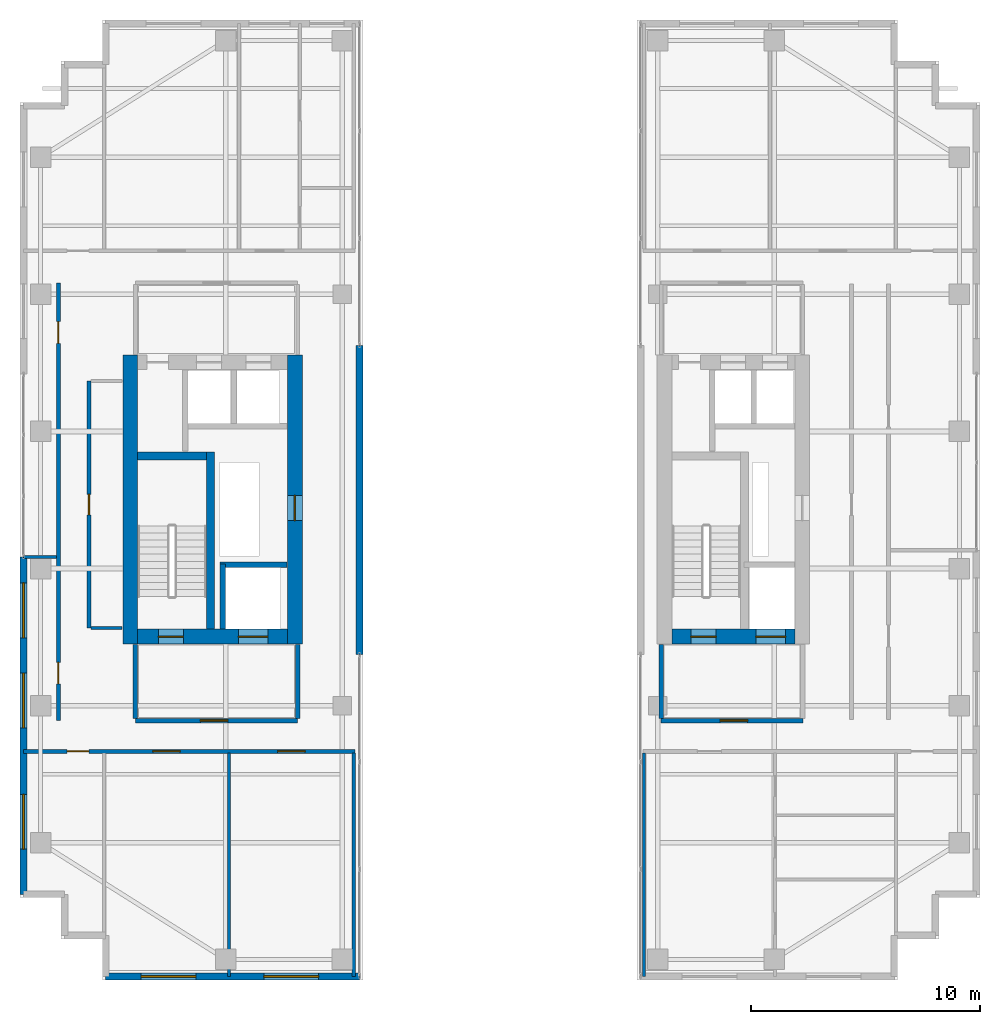
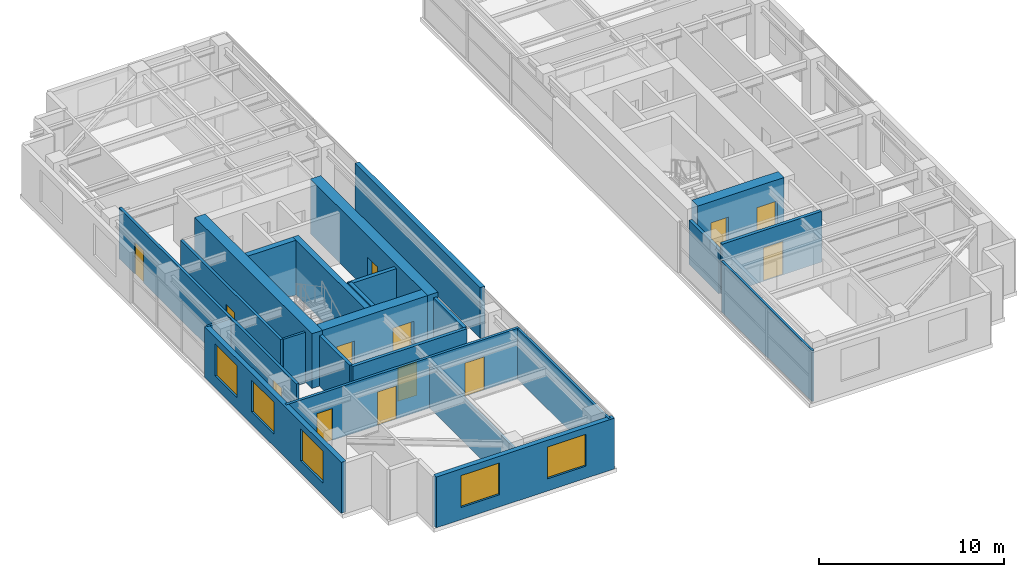
# One storey, part 17 of 22: 24 walls, 13 doors, 5 windows, 18 openings.
"""IFC4 building model written with IfcOpenShell, lengths in metres."""

from ifc_helpers import new_model, si_unit, direction, frame, frame_2d, origin, place, context, subcontext, project, spatial, rectangle, extrude, source, transform, mapped, material, layer, layer_set, type_object, element, fill, save


model = new_model("IFC4")

# Units and contexts
model_context = context("Model", 3, precision=1e-05, world=origin(), true_north=direction((0.0, 1.0)))
body_context = subcontext(model_context, "Body", "Model", "MODEL_VIEW")
ifc_project = project(units=[si_unit("LENGTHUNIT", "METRE"), si_unit("AREAUNIT", "SQUARE_METRE"), si_unit("VOLUMEUNIT", "CUBIC_METRE"), si_unit("PLANEANGLEUNIT", "RADIAN"), si_unit("MASSUNIT", "GRAM", prefix="KILO")], contexts=[model_context])

# Site, building, storey
site_placement = place(None, origin())
site = spatial("IfcSite", under=ifc_project, at=site_placement, CompositionType="ELEMENT")
building_placement = place(site_placement, origin())
building = spatial("IfcBuilding", under=site, at=building_placement, Name="Khoralis Quay Care Tower", CompositionType="ELEMENT")
storey_placement = place(building_placement, frame((0.0, 0.0, 184.5)))
storey = spatial("IfcBuildingStorey", under=building, at=storey_placement, Name="L48", CompositionType="ELEMENT", Elevation=184.5)

# Wall, opening, door
ifc_material_1 = material(Name="Gypsum plasterboard on acoustic metal stud")
ifc_layer_1 = layer(ifc_material_1, 0.199951171875)
ifc_layer_set_1 = layer_set([ifc_layer_1], Name="Gypsum plasterboard on acoustic metal stud")
wall_type_1 = type_object("IfcWallType", Name="WL-COMP-200", PredefinedType="PARTITIONING", material=ifc_layer_set_1)
wall_1_placement = place(storey_placement, frame((8.050048828125, 11.35009765625, 0.0), z_axis=(0.0, 0.0, 1.0), x_axis=(1.0, 0.0, 0.0)))
wall_1 = element("IfcWall", 1, at=wall_1_placement, inside=storey, type_object=wall_type_1, Name="L48 West Firefighting Lobby South Wall", PredefinedType="PARTITIONING", context=body_context, shape_type="SweptSolid", body=[
    extrude(rectangle(XDim=7.099853515625, YDim=0.199951171875, at=frame_2d((3.5498046875, 0.0))), origin(), (0.0, 0.0, 1.0), 3.340087890625),
])
opening_1_placement = place(wall_1_placement, frame((2.846435546875, 0.0, 0.0)))
opening_1 = element("IfcOpeningElement", 2, at=opening_1_placement, cuts=wall_1, Name="Opening FD1", PredefinedType="OPENING", context=body_context, shape_type="SweptSolid", body=[
    extrude(rectangle(XDim=1.199951171875, YDim=2.199951171875, at=frame_2d((0.60009765625, 1.10009765625))), frame((0.0, 0.10986328125, 0.0), z_axis=(0.0, -1.0, 0.0), x_axis=(1.0, 0.0, 0.0)), (0.0, 0.0, 1.0), 0.219970703125),
])
ifc_material_2 = material(Name="Fire-rated painted steel", Category="steel")
door_type_1 = type_object("IfcDoorType", Name="DR-FFL-1200X2200", OperationType="NOTDEFINED", PredefinedType="DOOR", material=ifc_material_2)
shared_shape_1 = source(origin(), body_context, "Body", "SweptSolid", [
    extrude(rectangle(XDim=1.199951171875, YDim=2.199951171875, at=frame_2d((0.60009765625, 1.10009765625))), frame((0.0, 0.02490234375, 0.0), z_axis=(0.0, -1.0, 0.0), x_axis=(1.0, 0.0, 0.0)), (0.0, 0.0, 1.0), 0.050048828125),
])
door_1_placement = place(opening_1_placement, origin())
door_1 = element("IfcDoor", 3, at=door_1_placement, inside=storey, type_object=door_type_1, Name="L48 West Firefighting Lobby Fire Door", OperationType="SINGLE_SWING_RIGHT", OverallHeight=2.199951171875, OverallWidth=1.199951171875, PredefinedType="DOOR", context=body_context, shape_type="MappedRepresentation", body=[
    mapped(shared_shape_1, transform((0.0, 0.0, 0.0), scale=1.0)),
])
fill(opening_1, door_1)

# Walls
for number, where, z_axis, x_axis, name in (
    (4, (8.050048828125, 11.445068359375, 0.0), (0.0, 0.0, 1.0), (0.0, 1.0, 0.0), "L48 West Firefighting Lobby West Wall"),
    (5, (15.14990234375, 11.445068359375, 0.0), (0.0, 0.0, 1.0), (0.0, 1.0, 0.0), "L48 West Firefighting Lobby East Wall"),
):
    element("IfcWall", number, at=place(storey_placement, frame(where, z_axis=z_axis, x_axis=x_axis)), inside=storey, type_object=wall_type_1, Name=name, PredefinedType="PARTITIONING", context=body_context, shape_type="SweptSolid", body=[
        extrude(rectangle(XDim=3.23486328125, YDim=0.199951171875, at=frame_2d((1.617431640625, 0.0))), origin(), (0.0, 0.0, 1.0), 3.340087890625),
    ])

# Wall, opening, door
wall_2_placement = place(storey_placement, frame((31.050048828125, 11.35009765625, 0.0), z_axis=(0.0, 0.0, 1.0), x_axis=(1.0, 0.0, 0.0)))
wall_2 = element("IfcWall", 6, at=wall_2_placement, inside=storey, type_object=wall_type_1, Name="L48 East Firefighting Lobby South Wall", PredefinedType="PARTITIONING", context=body_context, shape_type="SweptSolid", body=[
    extrude(rectangle(XDim=6.199951171875, YDim=0.199951171875, at=frame_2d((3.10009765625, 0.0))), origin(), (0.0, 0.0, 1.0), 3.340087890625),
])
opening_2_placement = place(wall_2_placement, frame((2.585693359375, 0.0, 0.0)))
opening_2 = element("IfcOpeningElement", 7, at=opening_2_placement, cuts=wall_2, Name="Opening FD1", PredefinedType="OPENING", context=body_context, shape_type="SweptSolid", body=[
    extrude(rectangle(XDim=1.199951171875, YDim=2.199951171875, at=frame_2d((0.60009765625, 1.10009765625))), frame((0.0, 0.10986328125, 0.0), z_axis=(0.0, -1.0, 0.0), x_axis=(1.0, 0.0, 0.0)), (0.0, 0.0, 1.0), 0.219970703125),
])
door_2_placement = place(opening_2_placement, origin())
door_2 = element("IfcDoor", 8, at=door_2_placement, inside=storey, type_object=door_type_1, Name="L48 East Firefighting Lobby Fire Door", OperationType="SINGLE_SWING_LEFT", OverallHeight=2.199951171875, OverallWidth=1.199951171875, PredefinedType="DOOR", context=body_context, shape_type="MappedRepresentation", body=[
    mapped(shared_shape_1, transform((0.0, 0.0, 0.0), scale=1.0)),
])
fill(opening_2, door_2)

# Walls
wall_3_placement = place(storey_placement, frame((31.050048828125, 11.445068359375, 0.0), z_axis=(0.0, 0.0, 1.0), x_axis=(0.0, 1.0, 0.0)))
element("IfcWall", 9, at=wall_3_placement, inside=storey, type_object=wall_type_1, Name="L48 East Firefighting Lobby West Wall", PredefinedType="PARTITIONING", context=body_context, shape_type="SweptSolid", body=[
    extrude(rectangle(XDim=3.23486328125, YDim=0.199951171875, at=frame_2d((1.617431640625, 0.0))), origin(), (0.0, 0.0, 1.0), 2.876953125),
])
ifc_material_3 = material(Name="Concrete C65/80", Category="concrete")
ifc_layer_2 = layer(ifc_material_3, 0.64990234375)
ifc_layer_set_2 = layer_set([ifc_layer_2], Name="Concrete C65/80")
wall_type_2 = type_object("IfcWallType", Name="WL-CORE-650", PredefinedType="SHEAR", material=ifc_layer_set_2)
wall_4_placement = place(storey_placement, frame((7.824951171875, 14.699951171875, 0.0), z_axis=(0.0, 0.0, 1.0), x_axis=(0.0, 1.0, 0.0)))
element("IfcWall", 10, at=wall_4_placement, inside=storey, type_object=wall_type_2, Name="L48 WCORE West Shear Wall", PredefinedType="SHEAR", context=body_context, shape_type="SweptSolid", body=[
    extrude(rectangle(XDim=12.650146484375, YDim=0.64990234375, at=frame_2d((6.3251953125, 0.0))), origin(), (0.0, 0.0, 1.0), 3.60009765625),
])

# Wall, opening, door
wall_5_placement = place(storey_placement, frame((15.02490234375, 14.699951171875, 0.0), z_axis=(0.0, 0.0, 1.0), x_axis=(0.0, 1.0, 0.0)))
wall_5 = element("IfcWall", 11, at=wall_5_placement, inside=storey, type_object=wall_type_2, Name="L48 WCORE East Shear Wall", PredefinedType="SHEAR", context=body_context, shape_type="SweptSolid", body=[
    extrude(rectangle(XDim=12.650146484375, YDim=0.64990234375, at=frame_2d((6.3251953125, 0.0))), origin(), (0.0, 0.0, 1.0), 3.60009765625),
])
opening_3_placement = place(wall_5_placement, frame((5.39990234375, 0.0, 0.0)))
opening_3 = element("IfcOpeningElement", 12, at=opening_3_placement, cuts=wall_5, Name="Opening SD1", PredefinedType="OPENING", context=body_context, shape_type="SweptSolid", body=[
    extrude(rectangle(XDim=1.10009765625, YDim=2.199951171875, at=frame_2d((0.550048828125, 1.10009765625))), frame((0.0, 0.3349609375, 0.0), z_axis=(0.0, -1.0, 0.0), x_axis=(1.0, 0.0, 0.0)), (0.0, 0.0, 1.0), 0.669921875),
])
door_type_2 = type_object("IfcDoorType", Name="DR-STAIR-1100X2200", OperationType="NOTDEFINED", PredefinedType="DOOR", material=ifc_material_2)
shared_shape_2 = source(origin(), body_context, "Body", "SweptSolid", [
    extrude(rectangle(XDim=1.10009765625, YDim=2.199951171875, at=frame_2d((0.550048828125, 1.10009765625))), frame((0.0, 0.02490234375, 0.0), z_axis=(0.0, -1.0, 0.0), x_axis=(1.0, 0.0, 0.0)), (0.0, 0.0, 1.0), 0.050048828125),
])
door_3_placement = place(opening_3_placement, origin())
door_3 = element("IfcDoor", 13, at=door_3_placement, inside=storey, type_object=door_type_2, Name="L48 West MEP Riser Door", OperationType="SINGLE_SWING_RIGHT", OverallHeight=2.199951171875, OverallWidth=1.10009765625, PredefinedType="DOOR", context=body_context, shape_type="MappedRepresentation", body=[
    mapped(shared_shape_2, transform((0.0, 0.0, 0.0), scale=1.0)),
])
fill(opening_3, door_3)

# Wall, openings, doors
wall_6_placement = place(storey_placement, frame((8.14990234375, 15.02490234375, 0.0), z_axis=(0.0, 0.0, 1.0), x_axis=(1.0, 0.0, 0.0)))
wall_6 = element("IfcWall", 14, at=wall_6_placement, inside=storey, type_object=wall_type_2, Name="L48 WCORE South Shear Wall", PredefinedType="SHEAR", context=body_context, shape_type="SweptSolid", body=[
    extrude(rectangle(XDim=6.550048828125, YDim=0.64990234375, at=frame_2d((3.27490234375, 0.0))), origin(), (0.0, 0.0, 1.0), 3.60009765625),
])
opening_4_placement = place(wall_6_placement, frame((0.89990234375, 0.0, 0.0)))
opening_4 = element("IfcOpeningElement", 15, at=opening_4_placement, cuts=wall_6, Name="Opening SD1", PredefinedType="OPENING", context=body_context, shape_type="SweptSolid", body=[
    extrude(rectangle(XDim=1.10009765625, YDim=2.199951171875, at=frame_2d((0.550048828125, 1.10009765625))), frame((0.0, 0.3349609375, 0.0), z_axis=(0.0, -1.0, 0.0), x_axis=(1.0, 0.0, 0.0)), (0.0, 0.0, 1.0), 0.669921875),
])
opening_5_placement = place(wall_6_placement, frame((4.39990234375, 0.0, 0.0)))
opening_5 = element("IfcOpeningElement", 16, at=opening_5_placement, cuts=wall_6, Name="Opening LD2", PredefinedType="OPENING", context=body_context, shape_type="SweptSolid", body=[
    extrude(rectangle(XDim=1.300048828125, YDim=2.199951171875, at=frame_2d((0.64990234375, 1.10009765625))), frame((0.0, 0.3349609375, 0.0), z_axis=(0.0, -1.0, 0.0), x_axis=(1.0, 0.0, 0.0)), (0.0, 0.0, 1.0), 0.669921875),
])
door_4_placement = place(opening_4_placement, origin())
door_4 = element("IfcDoor", 17, at=door_4_placement, inside=storey, type_object=door_type_2, Name="L48 Stair ST-T1 Fire Door", OperationType="SINGLE_SWING_RIGHT", OverallHeight=2.199951171875, OverallWidth=1.10009765625, PredefinedType="DOOR", context=body_context, shape_type="MappedRepresentation", body=[
    mapped(shared_shape_2, transform((0.0, 0.0, 0.0), scale=1.0)),
])
fill(opening_4, door_4)
ifc_material_4 = material(Name="Brushed stainless steel", Category="steel")
door_type_3 = type_object("IfcDoorType", Name="DR-LIFT-1300X2200", OperationType="SLIDING_TO_RIGHT", PredefinedType="DOOR", material=ifc_material_4)
shared_shape_3 = source(origin(), body_context, "Body", "SweptSolid", [
    extrude(rectangle(XDim=1.300048828125, YDim=2.199951171875, at=frame_2d((0.64990234375, 1.10009765625))), frame((0.0, 0.02490234375, 0.0), z_axis=(0.0, -1.0, 0.0), x_axis=(1.0, 0.0, 0.0)), (0.0, 0.0, 1.0), 0.050048828125),
])
door_5_placement = place(opening_5_placement, origin())
door_5 = element("IfcDoor", 18, at=door_5_placement, inside=storey, type_object=door_type_3, Name="L48 Firefighting Lift FFL-1 Landing Door", OperationType="SLIDING_TO_RIGHT", OverallHeight=2.199951171875, OverallWidth=1.300048828125, PredefinedType="DOOR", context=body_context, shape_type="MappedRepresentation", body=[
    mapped(shared_shape_3, transform((0.0, 0.0, 0.0), scale=1.0)),
])
fill(opening_5, door_5)

wall_7_placement = place(storey_placement, frame((31.52001953125, 15.02490234375, 0.0), z_axis=(0.0, 0.0, 1.0), x_axis=(1.0, 0.0, 0.0)))
wall_7 = element("IfcWall", 19, at=wall_7_placement, inside=storey, type_object=wall_type_2, Name="L48 ECORE South Shear Wall", PredefinedType="SHEAR", context=body_context, shape_type="SweptSolid", body=[
    extrude(rectangle(XDim=5.3798828125, YDim=0.64990234375, at=frame_2d((2.68994140625, 0.0))), origin(), (0.0, 0.0, 1.0), 3.60009765625),
])
opening_6_placement = place(wall_7_placement, frame((0.830078125, 0.0, 0.0)))
opening_6 = element("IfcOpeningElement", 20, at=opening_6_placement, cuts=wall_7, Name="Opening SD1", PredefinedType="OPENING", context=body_context, shape_type="SweptSolid", body=[
    extrude(rectangle(XDim=1.10009765625, YDim=2.199951171875, at=frame_2d((0.550048828125, 1.10009765625))), frame((0.0, 0.3349609375, 0.0), z_axis=(0.0, -1.0, 0.0), x_axis=(1.0, 0.0, 0.0)), (0.0, 0.0, 1.0), 0.669921875),
])
opening_7_placement = place(wall_7_placement, frame((3.679931640625, 0.0, 0.0)))
opening_7 = element("IfcOpeningElement", 21, at=opening_7_placement, cuts=wall_7, Name="Opening LD2", PredefinedType="OPENING", context=body_context, shape_type="SweptSolid", body=[
    extrude(rectangle(XDim=1.300048828125, YDim=2.199951171875, at=frame_2d((0.64990234375, 1.10009765625))), frame((0.0, 0.3349609375, 0.0), z_axis=(0.0, -1.0, 0.0), x_axis=(1.0, 0.0, 0.0)), (0.0, 0.0, 1.0), 0.669921875),
])
door_6_placement = place(opening_6_placement, origin())
door_6 = element("IfcDoor", 22, at=door_6_placement, inside=storey, type_object=door_type_2, Name="L48 Stair ST-T2 Fire Door", OperationType="SINGLE_SWING_LEFT", OverallHeight=2.199951171875, OverallWidth=1.10009765625, PredefinedType="DOOR", context=body_context, shape_type="MappedRepresentation", body=[
    mapped(shared_shape_2, transform((0.0, 0.0, 0.0), scale=1.0)),
])
fill(opening_6, door_6)
door_7_placement = place(opening_7_placement, origin())
door_7 = element("IfcDoor", 23, at=door_7_placement, inside=storey, type_object=door_type_3, Name="L48 Firefighting Lift FFL-2 Landing Door", OperationType="SLIDING_TO_RIGHT", OverallHeight=2.199951171875, OverallWidth=1.300048828125, PredefinedType="DOOR", context=body_context, shape_type="MappedRepresentation", body=[
    mapped(shared_shape_3, transform((0.0, 0.0, 0.0), scale=1.0)),
])
fill(opening_7, door_7)

# Wall, opening, door
ifc_layer_3 = layer(ifc_material_1, 0.1650390625)
ifc_layer_set_3 = layer_set([ifc_layer_3], Name="Gypsum plasterboard on acoustic metal stud")
wall_type_3 = type_object("IfcWallType", Name="WL-CORR-165", PredefinedType="PARTITIONING", material=ifc_layer_set_3)
wall_8_placement = place(storey_placement, frame((6.02001953125, 15.39990234375, 0.0), z_axis=(0.0, 0.0, 1.0), x_axis=(0.0, 1.0, 0.0)))
wall_8 = element("IfcWall", 24, at=wall_8_placement, inside=storey, type_object=wall_type_3, Name="L48 West Core Service Flank Wall", PredefinedType="PARTITIONING", context=body_context, shape_type="SweptSolid", body=[
    extrude(rectangle(XDim=10.800048828125, YDim=0.1650390625, at=frame_2d((5.39990234375, 0.0))), origin(), (0.0, 0.0, 1.0), 3.340087890625),
])
opening_8_placement = place(wall_8_placement, frame((4.949951171875, 0.0, 0.0)))
opening_8 = element("IfcOpeningElement", 25, at=opening_8_placement, cuts=wall_8, Name="Opening WD1", PredefinedType="OPENING", context=body_context, shape_type="SweptSolid", body=[
    extrude(rectangle(XDim=0.89990234375, YDim=2.10009765625, at=frame_2d((0.449951171875, 1.050048828125))), frame((0.0, 0.092529296875, 0.0), z_axis=(0.0, -1.0, 0.0), x_axis=(1.0, 0.0, 0.0)), (0.0, 0.0, 1.0), 0.18505859375),
])
ifc_material_5 = material(Name="Acoustic hardwood timber", Category="wood")
door_type_4 = type_object("IfcDoorType", Name="DR-BATH-900X2100", OperationType="NOTDEFINED", PredefinedType="DOOR", material=ifc_material_5)
shared_shape_4 = source(origin(), body_context, "Body", "SweptSolid", [
    extrude(rectangle(XDim=0.89990234375, YDim=2.10009765625, at=frame_2d((0.449951171875, 1.050048828125))), frame((0.0, 0.02490234375, 0.0), z_axis=(0.0, -1.0, 0.0), x_axis=(1.0, 0.0, 0.0)), (0.0, 0.0, 1.0), 0.050048828125),
])
door_8_placement = place(opening_8_placement, frame((0.89990234375, 0.0, 0.0), z_axis=(0.0, 0.0, 1.0), x_axis=(-1.0, 0.0, 0.0)))
door_8 = element("IfcDoor", 26, at=door_8_placement, inside=storey, type_object=door_type_4, Name="L48 Housekeeping & Public Accessible WC Door", OperationType="SINGLE_SWING_LEFT", OverallHeight=2.10009765625, OverallWidth=0.89990234375, PredefinedType="DOOR", context=body_context, shape_type="MappedRepresentation", body=[
    mapped(shared_shape_4, transform((0.0, 0.0, 0.0), scale=1.0)),
])
fill(opening_8, door_8)

# Wall, openings, doors
wall_9_placement = place(storey_placement, frame((3.14501953125, 10.0, 0.0), z_axis=(0.0, 0.0, 1.0), x_axis=(1.0, 0.0, 0.0)))
wall_9 = element("IfcWall", 27, at=wall_9_placement, inside=storey, type_object=wall_type_3, Name="L48 West Wing South Corridor Wall", PredefinedType="PARTITIONING", context=body_context, shape_type="SweptSolid", body=[
    extrude(rectangle(XDim=14.5048828125, YDim=0.1650390625, at=frame_2d((7.25244140625, 0.0))), origin(), (0.0, 0.0, 1.0), 3.340087890625),
])
opening_9_placement = place(wall_9_placement, frame((5.6650390625, 0.0, 0.0)))
opening_9 = element("IfcOpeningElement", 28, at=opening_9_placement, cuts=wall_9, Name="Opening FD1", PredefinedType="OPENING", context=body_context, shape_type="SweptSolid", body=[
    extrude(rectangle(XDim=1.199951171875, YDim=2.199951171875, at=frame_2d((0.60009765625, 1.10009765625))), frame((0.0, 0.092529296875, 0.0), z_axis=(0.0, -1.0, 0.0), x_axis=(1.0, 0.0, 0.0)), (0.0, 0.0, 1.0), 0.18505859375),
])
opening_10_placement = place(wall_9_placement, frame((11.125, 0.0, 0.0)))
opening_10 = element("IfcOpeningElement", 29, at=opening_10_placement, cuts=wall_9, Name="Opening FD1", PredefinedType="OPENING", context=body_context, shape_type="SweptSolid", body=[
    extrude(rectangle(XDim=1.199951171875, YDim=2.199951171875, at=frame_2d((0.60009765625, 1.10009765625))), frame((0.0, 0.092529296875, 0.0), z_axis=(0.0, -1.0, 0.0), x_axis=(1.0, 0.0, 0.0)), (0.0, 0.0, 1.0), 0.18505859375),
])
opening_11_placement = place(wall_9_placement, frame((1.919921875, 0.0, 0.0)))
opening_11 = element("IfcOpeningElement", 30, at=opening_11_placement, cuts=wall_9, Name="Opening ID1", PredefinedType="OPENING", context=body_context, shape_type="SweptSolid", body=[
    extrude(rectangle(XDim=0.949951171875, YDim=2.10009765625, at=frame_2d((0.47509765625, 1.050048828125))), frame((0.0, 0.092529296875, 0.0), z_axis=(0.0, -1.0, 0.0), x_axis=(1.0, 0.0, 0.0)), (0.0, 0.0, 1.0), 0.18505859375),
])
door_9_placement = place(opening_9_placement, frame((1.199951171875, 0.0, 0.0), z_axis=(0.0, 0.0, 1.0), x_axis=(-1.0, 0.0, 0.0)))
door_9 = element("IfcDoor", 31, at=door_9_placement, inside=storey, type_object=door_type_1, Name="L48 Resident Communal Day Lounge Door", OperationType="DOUBLE_DOOR_SINGLE_SWING", OverallHeight=2.199951171875, OverallWidth=1.199951171875, PredefinedType="DOOR", context=body_context, shape_type="MappedRepresentation", body=[
    mapped(shared_shape_1, transform((0.0, 0.0, 0.0), scale=1.0)),
])
fill(opening_9, door_9)
door_10_placement = place(opening_10_placement, frame((1.199951171875, 0.0, 0.0), z_axis=(0.0, 0.0, 1.0), x_axis=(-1.0, 0.0, 0.0)))
door_10 = element("IfcDoor", 32, at=door_10_placement, inside=storey, type_object=door_type_1, Name="L48 Resident Communal Day Lounge Door", OperationType="DOUBLE_DOOR_SINGLE_SWING", OverallHeight=2.199951171875, OverallWidth=1.199951171875, PredefinedType="DOOR", context=body_context, shape_type="MappedRepresentation", body=[
    mapped(shared_shape_1, transform((0.0, 0.0, 0.0), scale=1.0)),
])
fill(opening_10, door_10)
door_type_5 = type_object("IfcDoorType", Name="DR-ROOM-950X2100", OperationType="NOTDEFINED", PredefinedType="DOOR", material=ifc_material_5)
shared_shape_5 = source(origin(), body_context, "Body", "SweptSolid", [
    extrude(rectangle(XDim=0.949951171875, YDim=2.10009765625, at=frame_2d((0.47509765625, 1.050048828125))), frame((0.0, 0.02490234375, 0.0), z_axis=(0.0, -1.0, 0.0), x_axis=(1.0, 0.0, 0.0)), (0.0, 0.0, 1.0), 0.050048828125),
])
door_11_placement = place(opening_11_placement, frame((0.949951171875, 0.0, 0.0), z_axis=(0.0, 0.0, 1.0), x_axis=(-1.0, 0.0, 0.0)))
door_11 = element("IfcDoor", 33, at=door_11_placement, inside=storey, type_object=door_type_5, Name="L48 SW Corner Door", OperationType="SINGLE_SWING_LEFT", OverallHeight=2.10009765625, OverallWidth=0.949951171875, PredefinedType="DOOR", context=body_context, shape_type="MappedRepresentation", body=[
    mapped(shared_shape_5, transform((0.0, 0.0, 0.0), scale=1.0)),
])
fill(opening_11, door_11)

wall_10_placement = place(storey_placement, frame((4.679931640625, 11.35009765625, 0.0), z_axis=(0.0, 0.0, 1.0), x_axis=(0.0, 1.0, 0.0)))
wall_10 = element("IfcWall", 34, at=wall_10_placement, inside=storey, type_object=wall_type_3, Name="L48 West Mid South Entry Wall", PredefinedType="PARTITIONING", context=body_context, shape_type="SweptSolid", body=[
    extrude(rectangle(XDim=19.14990234375, YDim=0.1650390625, at=frame_2d((9.574951171875, 0.0))), origin(), (0.0, 0.0, 1.0), 3.340087890625),
])
opening_12_placement = place(wall_10_placement, frame((1.60009765625, 0.0, 0.0)))
opening_12 = element("IfcOpeningElement", 35, at=opening_12_placement, cuts=wall_10, Name="Opening ID1", PredefinedType="OPENING", context=body_context, shape_type="SweptSolid", body=[
    extrude(rectangle(XDim=0.949951171875, YDim=2.10009765625, at=frame_2d((0.47509765625, 1.050048828125))), frame((0.0, 0.092529296875, 0.0), z_axis=(0.0, -1.0, 0.0), x_axis=(1.0, 0.0, 0.0)), (0.0, 0.0, 1.0), 0.18505859375),
])
opening_13_placement = place(wall_10_placement, frame((16.5, 0.0, 0.0)))
opening_13 = element("IfcOpeningElement", 36, at=opening_13_placement, cuts=wall_10, Name="Opening ID1", PredefinedType="OPENING", context=body_context, shape_type="SweptSolid", body=[
    extrude(rectangle(XDim=0.949951171875, YDim=2.10009765625, at=frame_2d((0.47509765625, 1.050048828125))), frame((0.0, 0.092529296875, 0.0), z_axis=(0.0, -1.0, 0.0), x_axis=(1.0, 0.0, 0.0)), (0.0, 0.0, 1.0), 0.18505859375),
])
door_12_placement = place(opening_12_placement, frame((0.949951171875, 0.0, 0.0), z_axis=(0.0, 0.0, 1.0), x_axis=(-1.0, 0.0, 0.0)))
door_12 = element("IfcDoor", 37, at=door_12_placement, inside=storey, type_object=door_type_5, Name="L48 West Waterfront Living Suite Door", OperationType="SINGLE_SWING_LEFT", OverallHeight=2.10009765625, OverallWidth=0.949951171875, PredefinedType="DOOR", context=body_context, shape_type="MappedRepresentation", body=[
    mapped(shared_shape_5, transform((0.0, 0.0, 0.0), scale=1.0)),
])
fill(opening_12, door_12)
door_13_placement = place(opening_13_placement, frame((0.949951171875, 0.0, 0.0), z_axis=(0.0, 0.0, 1.0), x_axis=(-1.0, 0.0, 0.0)))
door_13 = element("IfcDoor", 38, at=door_13_placement, inside=storey, type_object=door_type_5, Name="L48 West Daylight Care Bedroom Door", OperationType="SINGLE_SWING_RIGHT", OverallHeight=2.10009765625, OverallWidth=0.949951171875, PredefinedType="DOOR", context=body_context, shape_type="MappedRepresentation", body=[
    mapped(shared_shape_5, transform((0.0, 0.0, 0.0), scale=1.0)),
])
fill(opening_13, door_13)

# Wall, openings, windows
ifc_material_6 = material(Name="Precast concrete C45/55", Category="concrete")
ifc_layer_4 = layer(ifc_material_6, 0.300048828125)
ifc_layer_set_4 = layer_set([ifc_layer_4], Name="Precast concrete C45/55")
wall_type_4 = type_object("IfcWallType", Name="WL-EXT-REF-300", PredefinedType="SOLIDWALL", material=ifc_layer_set_4)
wall_11_placement = place(storey_placement, frame((6.75, 0.14990234375, 0.0), z_axis=(0.0, 0.0, 1.0), x_axis=(1.0, 0.0, 0.0)))
wall_11 = element("IfcWall", 39, at=wall_11_placement, inside=storey, type_object=wall_type_4, Name="L48 External Facade Wall WL-EXT-L48-P1-E0", PredefinedType="SOLIDWALL", context=body_context, shape_type="SweptSolid", body=[
    extrude(rectangle(XDim=11.10009765625, YDim=0.300048828125, at=frame_2d((5.550048828125, 0.0))), origin(), (0.0, 0.0, 1.0), 3.340087890625),
])
opening_14_placement = place(wall_11_placement, frame((1.544921875, 0.0, 0.800048828125)))
opening_14 = element("IfcOpeningElement", 40, at=opening_14_placement, cuts=wall_11, Name="Opening W1", PredefinedType="OPENING", context=body_context, shape_type="SweptSolid", body=[
    extrude(rectangle(XDim=2.39990234375, YDim=2.10009765625, at=frame_2d((1.199951171875, 1.050048828125))), frame((0.0, 0.16015625, 0.0), z_axis=(0.0, -1.0, 0.0), x_axis=(1.0, 0.0, 0.0)), (0.0, 0.0, 1.0), 0.320068359375),
])
opening_15_placement = place(wall_11_placement, frame((6.919921875, 0.0, 0.800048828125)))
opening_15 = element("IfcOpeningElement", 41, at=opening_15_placement, cuts=wall_11, Name="Opening W1", PredefinedType="OPENING", context=body_context, shape_type="SweptSolid", body=[
    extrude(rectangle(XDim=2.39990234375, YDim=2.10009765625, at=frame_2d((1.199951171875, 1.050048828125))), frame((0.0, 0.16015625, 0.0), z_axis=(0.0, -1.0, 0.0), x_axis=(1.0, 0.0, 0.0)), (0.0, 0.0, 1.0), 0.320068359375),
])
ifc_material_7 = material(Name="Low-E solar-control double glazing", Category="glass")
window_type = type_object("IfcWindowType", Name="WN-POD-2400X2100", PartitioningType="SINGLE_PANEL", PredefinedType="WINDOW", material=ifc_material_7)
shared_shape_6 = source(origin(), body_context, "Body", "SweptSolid", [
    extrude(rectangle(XDim=2.39990234375, YDim=2.10009765625, at=frame_2d((1.199951171875, 1.050048828125))), frame((0.0, 0.030029296875, 0.0), z_axis=(0.0, -1.0, 0.0), x_axis=(1.0, 0.0, 0.0)), (0.0, 0.0, 1.0), 0.06005859375),
])
window_1_placement = place(opening_14_placement, origin())
window_1 = element("IfcWindow", 42, at=window_1_placement, inside=storey, type_object=window_type, Name="WN-L48-P1-E0 Facade Window 01", OverallHeight=2.10009765625, OverallWidth=2.39990234375, PartitioningType="SINGLE_PANEL", PredefinedType="WINDOW", context=body_context, shape_type="MappedRepresentation", body=[
    mapped(shared_shape_6, transform((0.0, 0.0, 0.0), scale=1.0)),
])
fill(opening_14, window_1)
window_2_placement = place(opening_15_placement, origin())
window_2 = element("IfcWindow", 43, at=window_2_placement, inside=storey, type_object=window_type, Name="WN-L48-P1-E0 Facade Window 02", OverallHeight=2.10009765625, OverallWidth=2.39990234375, PartitioningType="SINGLE_PANEL", PredefinedType="WINDOW", context=body_context, shape_type="MappedRepresentation", body=[
    mapped(shared_shape_6, transform((0.0, 0.0, 0.0), scale=1.0)),
])
fill(opening_15, window_2)

# Wall
wall_12_placement = place(storey_placement, frame((17.85009765625, 14.25, 0.0), z_axis=(0.0, 0.0, 1.0), x_axis=(0.0, 1.0, 0.0)))
element("IfcWall", 44, at=wall_12_placement, inside=storey, type_object=wall_type_4, Name="L48 External Facade Wall WL-VP-L48-P1-M", PredefinedType="SOLIDWALL", context=body_context, shape_type="SweptSolid", body=[
    extrude(rectangle(XDim=13.5, YDim=0.300048828125, at=frame_2d((6.75, 0.0))), origin(), (0.0, 0.0, 1.0), 3.340087890625),
])

# Wall, openings, windows
wall_13_placement = place(storey_placement, frame((3.14990234375, 18.5, 0.0), z_axis=(0.0, 0.0, 1.0), x_axis=(0.0, -1.0, 0.0)))
wall_13 = element("IfcWall", 45, at=wall_13_placement, inside=storey, type_object=wall_type_4, Name="L48 External Facade Wall WL-EXT-L48-P1-E7B", PredefinedType="SOLIDWALL", context=body_context, shape_type="SweptSolid", body=[
    extrude(rectangle(XDim=14.75, YDim=0.300048828125, at=frame_2d((7.375, 0.0))), origin(), (0.0, 0.0, 1.0), 3.340087890625),
])
opening_16_placement = place(wall_13_placement, frame((1.1298828125, 0.0, 0.800048828125)))
opening_16 = element("IfcOpeningElement", 46, at=opening_16_placement, cuts=wall_13, Name="Opening W1", PredefinedType="OPENING", context=body_context, shape_type="SweptSolid", body=[
    extrude(rectangle(XDim=2.39990234375, YDim=2.10009765625, at=frame_2d((1.199951171875, 1.050048828125))), frame((0.0, 0.16015625, 0.0), z_axis=(0.0, -1.0, 0.0), x_axis=(1.0, 0.0, 0.0)), (0.0, 0.0, 1.0), 0.320068359375),
])
opening_17_placement = place(wall_13_placement, frame((5.070068359375, 0.0, 0.800048828125)))
opening_17 = element("IfcOpeningElement", 47, at=opening_17_placement, cuts=wall_13, Name="Opening W1", PredefinedType="OPENING", context=body_context, shape_type="SweptSolid", body=[
    extrude(rectangle(XDim=2.39990234375, YDim=2.10009765625, at=frame_2d((1.199951171875, 1.050048828125))), frame((0.0, 0.16015625, 0.0), z_axis=(0.0, -1.0, 0.0), x_axis=(1.0, 0.0, 0.0)), (0.0, 0.0, 1.0), 0.320068359375),
])
opening_18_placement = place(wall_13_placement, frame((10.375, 0.0, 0.800048828125)))
opening_18 = element("IfcOpeningElement", 48, at=opening_18_placement, cuts=wall_13, Name="Opening W1", PredefinedType="OPENING", context=body_context, shape_type="SweptSolid", body=[
    extrude(rectangle(XDim=2.39990234375, YDim=2.10009765625, at=frame_2d((1.199951171875, 1.050048828125))), frame((0.0, 0.16015625, 0.0), z_axis=(0.0, -1.0, 0.0), x_axis=(1.0, 0.0, 0.0)), (0.0, 0.0, 1.0), 0.320068359375),
])
window_3_placement = place(opening_16_placement, origin())
window_3 = element("IfcWindow", 49, at=window_3_placement, inside=storey, type_object=window_type, Name="WN-L48-P1-E7B Facade Window 01", OverallHeight=2.10009765625, OverallWidth=2.39990234375, PartitioningType="SINGLE_PANEL", PredefinedType="WINDOW", context=body_context, shape_type="MappedRepresentation", body=[
    mapped(shared_shape_6, transform((0.0, 0.0, 0.0), scale=1.0)),
])
fill(opening_16, window_3)
window_4_placement = place(opening_17_placement, origin())
window_4 = element("IfcWindow", 50, at=window_4_placement, inside=storey, type_object=window_type, Name="WN-L48-P1-E7B Facade Window 02", OverallHeight=2.10009765625, OverallWidth=2.39990234375, PartitioningType="SINGLE_PANEL", PredefinedType="WINDOW", context=body_context, shape_type="MappedRepresentation", body=[
    mapped(shared_shape_6, transform((0.0, 0.0, 0.0), scale=1.0)),
])
fill(opening_17, window_4)
window_5_placement = place(opening_18_placement, origin())
window_5 = element("IfcWindow", 51, at=window_5_placement, inside=storey, type_object=window_type, Name="WN-L48-P1-E7B Facade Window 03", OverallHeight=2.10009765625, OverallWidth=2.39990234375, PartitioningType="SINGLE_PANEL", PredefinedType="WINDOW", context=body_context, shape_type="MappedRepresentation", body=[
    mapped(shared_shape_6, transform((0.0, 0.0, 0.0), scale=1.0)),
])
fill(opening_18, window_5)

# Walls
ifc_material_8 = material(Name="Concrete C40/50", Category="concrete")
ifc_layer_5 = layer(ifc_material_8, 0.35009765625)
ifc_layer_set_5 = layer_set([ifc_layer_5], Name="Concrete C40/50")
wall_type_5 = type_object("IfcWallType", Name="WL-SC-CORE-350", PredefinedType="SHEAR", material=ifc_layer_set_5)
wall_14_placement = place(storey_placement, frame((11.324951171875, 15.35009765625, 0.0), z_axis=(0.0, 0.0, 1.0), x_axis=(0.0, 1.0, 0.0)))
element("IfcWall", 52, at=wall_14_placement, inside=storey, type_object=wall_type_5, Name="L48 Stair ST-T1 Shear Baffle Wall East", PredefinedType="SHEAR", context=body_context, shape_type="SweptSolid", body=[
    extrude(rectangle(XDim=7.75, YDim=0.35009765625, at=frame_2d((3.875, 0.0))), origin(), (0.0, 0.0, 1.0), 3.60009765625),
])
wall_15_placement = place(storey_placement, frame((8.14990234375, 22.925048828125, 0.0), z_axis=(0.0, 0.0, 1.0), x_axis=(1.0, 0.0, 0.0)))
element("IfcWall", 53, at=wall_15_placement, inside=storey, type_object=wall_type_5, Name="L48 Stair ST-T1 Shear Baffle Wall North", PredefinedType="SHEAR", context=body_context, shape_type="SweptSolid", body=[
    extrude(rectangle(XDim=3.0, YDim=0.35009765625, at=frame_2d((1.5, 0.0))), origin(), (0.0, 0.0, 1.0), 3.60009765625),
])
ifc_layer_6 = layer(ifc_material_1, 0.239990234375)
ifc_layer_set_6 = layer_set([ifc_layer_6], Name="Gypsum plasterboard on acoustic metal stud")
wall_type_6 = type_object("IfcWallType", Name="WL-SHAFT-240", PredefinedType="PARTITIONING", material=ifc_layer_set_6)
wall_16_placement = place(storey_placement, frame((11.8798828125, 15.35009765625, 0.0), z_axis=(0.0, 0.0, 1.0), x_axis=(0.0, 1.0, 0.0)))
element("IfcWall", 54, at=wall_16_placement, inside=storey, type_object=wall_type_6, Name="L48 FFL-1 Shaft Wall West", PredefinedType="PARTITIONING", context=body_context, shape_type="SweptSolid", body=[
    extrude(rectangle(XDim=2.849853515625, YDim=0.239990234375, at=frame_2d((1.4248046875, 0.0))), origin(), (0.0, 0.0, 1.0), 3.340087890625),
])
wall_17_placement = place(storey_placement, frame((11.760009765625, 18.169921875, 0.0), z_axis=(0.0, 0.0, 1.0), x_axis=(1.0, 0.0, 0.0)))
element("IfcWall", 55, at=wall_17_placement, inside=storey, type_object=wall_type_6, Name="L48 FFL-1 Shaft Wall North", PredefinedType="PARTITIONING", context=body_context, shape_type="SweptSolid", body=[
    extrude(rectangle(XDim=2.919921875, YDim=0.239990234375, at=frame_2d((1.4599609375, 0.0))), origin(), (0.0, 0.0, 1.0), 3.340087890625),
])
ifc_layer_7 = layer(ifc_material_1, 0.139892578125)
ifc_layer_set_7 = layer_set([ifc_layer_7], Name="Gypsum plasterboard on acoustic metal stud")
wall_type_7 = type_object("IfcWallType", Name="WL-UNIT-140", PredefinedType="PARTITIONING", material=ifc_layer_set_7)
wall_18_placement = place(storey_placement, frame((6.097412109375, 15.39990234375, 0.0), z_axis=(0.0, 0.0, 1.0), x_axis=(1.0, 0.0, 0.0)))
element("IfcWall", 56, at=wall_18_placement, inside=storey, type_object=wall_type_7, Name="L48 West Flank South Cap", PredefinedType="PARTITIONING", context=body_context, shape_type="SweptSolid", body=[
    extrude(rectangle(XDim=1.362548828125, YDim=0.139892578125, at=frame_2d((0.68115234375, 0.0))), origin(), (0.0, 0.0, 1.0), 3.340087890625),
])
wall_19_placement = place(storey_placement, frame((3.14501953125, 18.5, 0.0), z_axis=(0.0, 0.0, 1.0), x_axis=(1.0, 0.0, 0.0)))
element("IfcWall", 57, at=wall_19_placement, inside=storey, type_object=wall_type_7, Name="L48 West Mid Split", PredefinedType="PARTITIONING", context=body_context, shape_type="SweptSolid", body=[
    extrude(rectangle(XDim=1.45751953125, YDim=0.139892578125, at=frame_2d((0.728759765625, 0.0))), origin(), (0.0, 0.0, 1.0), 3.340087890625),
])
wall_20_placement = place(storey_placement, frame((12.139892578125, 0.14501953125, 0.0), z_axis=(0.0, 0.0, 1.0), x_axis=(0.0, 1.0, 0.0)))
element("IfcWall", 58, at=wall_20_placement, inside=storey, type_object=wall_type_7, Name="L48 WS Demising Wall 1", PredefinedType="PARTITIONING", context=body_context, shape_type="SweptSolid", body=[
    extrude(rectangle(XDim=9.777587890625, YDim=0.139892578125, at=frame_2d((4.888671875, 0.0))), origin(), (0.0, 0.0, 1.0), 2.876953125),
])
for number, where, z_axis, x_axis, name in (
    (59, (17.60009765625, 0.14501953125, 0.0), (0.0, 0.0, 1.0), (0.0, 1.0, 0.0), "L48 WS Demising Wall 2"),
    (60, (30.300048828125, 0.14501953125, 0.0), (0.0, 0.0, 1.0), (0.0, 1.0, 0.0), "L48 ES Demising Wall 0"),
):
    element("IfcWall", number, at=place(storey_placement, frame(where, z_axis=z_axis, x_axis=x_axis)), inside=storey, type_object=wall_type_7, Name=name, PredefinedType="PARTITIONING", context=body_context, shape_type="SweptSolid", body=[
        extrude(rectangle(XDim=9.777587890625, YDim=0.139892578125, at=frame_2d((4.888671875, 0.0))), origin(), (0.0, 0.0, 1.0), 3.340087890625),
    ])

save(model, "model.ifc")
